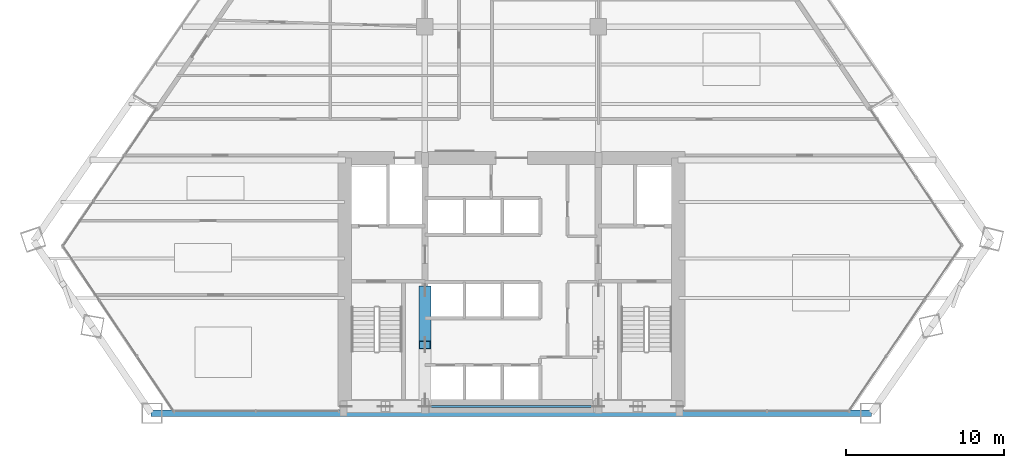
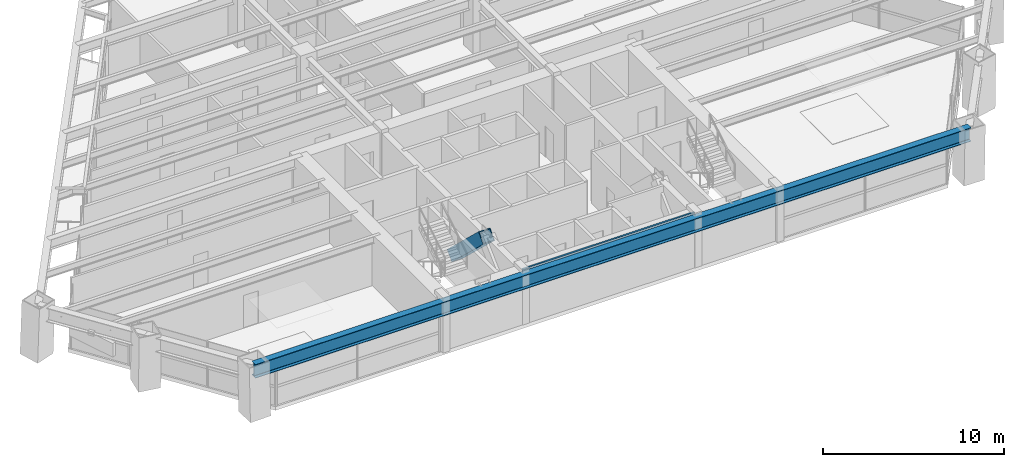
# One storey, part 3 of 14: 2 beams, 1 member.
"""IFC4 building model written with IfcOpenShell, lengths in metres."""

import ifcopenshell
import ifcopenshell.guid

model = None  # the IFC model being written
_history = None  # IfcOwnerHistory: only IFC2X3 demands one
_inside = {}  # id of a spatial element -> (the spatial element, [elements in it])
_under = {}  # id of a project, library or spatial element -> (it, [spatial elements below it])
_declared = {}  # id of a project -> (the project, [libraries it declares])
_typed = {}  # id of a type object -> (the type object, [elements of that type])
_made_of = {}  # id of a material, layer set ... -> (it, [elements and type objects made of it])


def new_model(schema):
    """Start an empty IFC model of exactly this schema.

    Asked for "IFC4X3", IfcOpenShell would pick the latest addendum, in which some entities
    have other attributes; the version numbers below select the first issue.
    IFC2X3 requires an IfcOwnerHistory on every rooted entity: one is made here for all.
    """
    global model, _history
    if schema == "IFC4X3":
        model = ifcopenshell.file(schema_version=(4, 3, 0, 0))
    else:
        model = ifcopenshell.file(schema=schema)
    _inside.clear()
    _under.clear()
    _declared.clear()
    _typed.clear()
    _made_of.clear()
    _history = None
    if model.schema == "IFC2X3":
        org = make("IfcOrganization", Name="unknown")
        user = make(
            "IfcPersonAndOrganization",
            ThePerson=make("IfcPerson", FamilyName="unknown"),
            TheOrganization=org,
        )
        app = make(
            "IfcApplication",
            ApplicationDeveloper=org,
            Version="unknown",
            ApplicationFullName="unknown",
            ApplicationIdentifier="unknown",
        )
        _history = make(
            "IfcOwnerHistory",
            OwningUser=user,
            OwningApplication=app,
            ChangeAction="ADDED",
            CreationDate=0,
        )
    return model


def make(cls, **values):
    """One entity of the class cls with the attributes given. An attribute that is None is left unset."""
    return model.create_entity(
        cls, **{name: value for name, value in values.items() if value is not None}
    )


def rooted(cls, **values):
    """An entity with a GlobalId (a new one), such as an element, a storey or a relation."""
    return make(cls, GlobalId=ifcopenshell.guid.new(), OwnerHistory=_history, **values)


def si_unit(unit_type, name, prefix=None):
    """IfcSIUnit, for example si_unit("LENGTHUNIT", "METRE", prefix="MILLI")."""
    return make("IfcSIUnit", UnitType=unit_type, Prefix=prefix, Name=name)


def assignment(units):
    """IfcUnitAssignment: the units of a project."""
    return None if units is None else make("IfcUnitAssignment", Units=units)


def point(xyz):
    """IfcCartesianPoint."""
    return None if xyz is None else make("IfcCartesianPoint", Coordinates=xyz)


def direction(xyz):
    """IfcDirection."""
    return None if xyz is None else make("IfcDirection", DirectionRatios=xyz)


def frame(location, z_axis=None, x_axis=None):
    """IfcAxis2Placement3D, a coordinate frame: its origin and axes. An axis left out is left unset."""
    return make(
        "IfcAxis2Placement3D",
        Location=point(location),
        Axis=direction(z_axis),
        RefDirection=direction(x_axis),
    )


def frame_2d(location, x_axis=None):
    """IfcAxis2Placement2D, a coordinate frame in the plane: its origin and x axis."""
    return make(
        "IfcAxis2Placement2D", Location=point(location), RefDirection=direction(x_axis)
    )


def origin():
    """The frame at (0, 0, 0) with its axes left unset."""
    return frame((0.0, 0.0, 0.0))


def origin_2d():
    """The frame at (0, 0) in the plane with its x axis left unset."""
    return frame_2d((0.0, 0.0))


def place(relative_to, where):
    """IfcLocalPlacement: puts the frame where relative to a parent placement (None: the world)."""
    return make(
        "IfcLocalPlacement", PlacementRelTo=relative_to, RelativePlacement=where
    )


def context(
    kind, dimensions, precision=None, world=None, true_north=None, identifier=None
):
    """IfcGeometricRepresentationContext, for example the 3D "Model" context."""
    return make(
        "IfcGeometricRepresentationContext",
        ContextIdentifier=identifier,
        ContextType=kind,
        CoordinateSpaceDimension=dimensions,
        Precision=precision,
        WorldCoordinateSystem=world,
        TrueNorth=true_north,
    )


def subcontext(parent, identifier, kind, view, scale=None):
    """IfcGeometricRepresentationSubContext, for example "Body" below "Model"."""
    return make(
        "IfcGeometricRepresentationSubContext",
        ContextIdentifier=identifier,
        ContextType=kind,
        ParentContext=parent,
        TargetScale=scale,
        TargetView=view,
    )


def project(units=None, contexts=None):
    """IfcProject with its units and contexts."""
    return rooted(
        "IfcProject",
        Name="project",
        RepresentationContexts=contexts,
        UnitsInContext=assignment(units),
    )


def spatial(cls, under=None, at=None, **own):
    """A site, building, storey or space (cls), placed at a placement, below another one or the project."""
    s = rooted(cls, ObjectPlacement=at, **own)
    if under is not None:
        _under.setdefault(under.id(), (under, []))[1].append(s)
    return s


def profile(cls, at=None, kind="AREA", **sizes):
    """A parametric profile (cls). Its sizes go by their IFC names, for example OverallWidth=200.0."""
    return make(cls, ProfileType=kind, Position=at, **sizes)


def hollow_rectangle(**sizes):
    """IfcRectangleHollowProfileDef."""
    return profile("IfcRectangleHollowProfileDef", **sizes)


def i_section(**sizes):
    """IfcIShapeProfileDef."""
    return profile("IfcIShapeProfileDef", **sizes)


def extrude(swept, where, along, depth):
    """IfcExtrudedAreaSolid: the profile swept, set in the frame where, extruded along a direction by depth."""
    return make(
        "IfcExtrudedAreaSolid",
        SweptArea=swept,
        Position=where,
        ExtrudedDirection=direction(along),
        Depth=depth,
    )


def shape(context_of_items, identifier, shape_type, items):
    """IfcShapeRepresentation: the items that make up one representation, for example the "Body"."""
    return make(
        "IfcShapeRepresentation",
        ContextOfItems=context_of_items,
        RepresentationIdentifier=identifier,
        RepresentationType=shape_type,
        Items=items,
    )


def source(mapping_origin, context_of_items, identifier, shape_type, items):
    """IfcRepresentationMap: a shape defined once, which mapped items show again and again."""
    return make(
        "IfcRepresentationMap",
        MappingOrigin=mapping_origin,
        MappedRepresentation=shape(context_of_items, identifier, shape_type, items),
    )


def transform(
    local_origin,
    x_axis=None,
    y_axis=None,
    z_axis=None,
    scale=None,
    scale2=None,
    scale3=None,
    uniform=True,
):
    """IfcCartesianTransformationOperator3D, or its non-uniform kind. x_axis, y_axis, z_axis: its Axis1, 2, 3."""
    if uniform:
        return make(
            "IfcCartesianTransformationOperator3D",
            Axis1=direction(x_axis),
            Axis2=direction(y_axis),
            LocalOrigin=point(local_origin),
            Scale=scale,
            Axis3=direction(z_axis),
        )
    return make(
        "IfcCartesianTransformationOperator3DnonUniform",
        Axis1=direction(x_axis),
        Axis2=direction(y_axis),
        LocalOrigin=point(local_origin),
        Scale=scale,
        Axis3=direction(z_axis),
        Scale2=scale2,
        Scale3=scale3,
    )


def mapped(mapping_source, mapping_target):
    """IfcMappedItem: shows the shape of a source again, moved by a transform."""
    return make(
        "IfcMappedItem", MappingSource=mapping_source, MappingTarget=mapping_target
    )


def material(Name=None, Category=None):
    """IfcMaterial."""
    return make("IfcMaterial", Name=Name, Category=Category)


def material_profile(
    of_material, cross_section, Name=None, Category=None, Priority=None
):
    """IfcMaterialProfile: a cross section and its material."""
    return make(
        "IfcMaterialProfile",
        Name=Name,
        Material=of_material,
        Profile=cross_section,
        Priority=Priority,
        Category=Category,
    )


def profile_set(profiles, Name=None, composite=None):
    """IfcMaterialProfileSet."""
    return make(
        "IfcMaterialProfileSet",
        Name=Name,
        MaterialProfiles=profiles,
        CompositeProfile=composite,
    )


def made_of(thing, what):
    """Note that an element or type object is made of a material, layer set ...; save() writes the relation."""
    if what is not None:
        _made_of.setdefault(what.id(), (what, []))[1].append(thing)
    return thing


def type_object(cls, material=None, **own):
    """A type object (cls), such as IfcWallType, which elements share."""
    return made_of(rooted(cls, **own), material)


def type_shapes(of_type, sources):
    """Give a type object the sources (RepresentationMaps) that its elements show as mapped items."""
    of_type.RepresentationMaps = sources


def element(
    cls,
    number,
    at=None,
    inside=None,
    cuts=None,
    type_object=None,
    material=None,
    context=None,
    identifier="Body",
    shape_type=None,
    held_by="IfcProductDefinitionShape",
    body=None,
    shapes=None,
    **own,
):
    """One element of the class cls, such as IfcWall. Its Tag is "e" and its number.

    at: its placement. inside: the storey or other place that contains it. cuts: it is an
    opening in that element (IfcRelVoidsElement). A single representation is given by context,
    identifier, shape_type and body (its items); several are given by shapes. held_by: the class
    of the entity that holds the representations. save() writes the other relations.
    """
    e = rooted(cls, Tag="e%d" % number, ObjectPlacement=at, **own)
    if body is not None:
        shapes = [shape(context, identifier, shape_type, body)]
    if shapes is not None:
        e.Representation = make(held_by, Representations=shapes)
    if inside is not None:
        _inside.setdefault(inside.id(), (inside, []))[1].append(e)
    if cuts is not None:
        rooted(
            "IfcRelVoidsElement", RelatingBuildingElement=cuts, RelatedOpeningElement=e
        )
    if type_object is not None:
        _typed.setdefault(type_object.id(), (type_object, []))[1].append(e)
    return made_of(e, material)


def aggregate(whole, parts):
    """IfcRelAggregates: a whole, such as a stair, and the parts it consists of."""
    return rooted("IfcRelAggregates", RelatingObject=whole, RelatedObjects=parts)


def save(model, path):
    """Write the relations noted so far, then the file.

    IfcRelAggregates (storeys below a building ...), IfcRelContainedInSpatialStructure (elements
    in a storey), IfcRelDefinesByType, IfcRelAssociatesMaterial and IfcRelDeclares: one each for
    every whole, place, type object, material and project.
    """
    for whole, parts in _under.values():
        aggregate(whole, parts)
    for where, things in _inside.values():
        rooted(
            "IfcRelContainedInSpatialStructure",
            RelatedElements=things,
            RelatingStructure=where,
        )
    for kind, things in _typed.values():
        rooted("IfcRelDefinesByType", RelatedObjects=things, RelatingType=kind)
    for what, things in _made_of.values():
        rooted("IfcRelAssociatesMaterial", RelatedObjects=things, RelatingMaterial=what)
    for by, libraries in _declared.values():
        rooted("IfcRelDeclares", RelatingContext=by, RelatedDefinitions=libraries)
    model.write(path)


model = new_model("IFC4")

# Units and contexts
model_context = context("Model", 3, precision=1e-05, world=origin(), true_north=direction((0.0, 1.0)))
body_context = subcontext(model_context, "Body", "Model", "MODEL_VIEW")
ifc_project = project(units=[si_unit("LENGTHUNIT", "METRE"), si_unit("AREAUNIT", "SQUARE_METRE"), si_unit("VOLUMEUNIT", "CUBIC_METRE"), si_unit("PLANEANGLEUNIT", "RADIAN"), si_unit("MASSUNIT", "GRAM", prefix="KILO")], contexts=[model_context])

# Site, building, storey
site_placement = place(None, origin())
site = spatial("IfcSite", under=ifc_project, at=site_placement, CompositionType="ELEMENT")
building_placement = place(site_placement, origin())
building = spatial("IfcBuilding", under=site, at=building_placement, Name="Varnakhor Terracotta Tower", CompositionType="ELEMENT")
storey_placement = place(building_placement, frame((0.0, 0.0, 46.0)))
storey = spatial("IfcBuildingStorey", under=building, at=storey_placement, Name="L10", CompositionType="ELEMENT", Elevation=46.0)

# Beam
ifc_material_1 = material(Name="Steel S355", Category="steel")
ifc_material_profile_1 = material_profile(ifc_material_1, i_section(OverallWidth=0.1201171875, OverallDepth=0.239990234375, WebThickness=0.006103515625, FlangeThickness=0.009765625, FilletRadius=0.01806640625, at=origin_2d()), Name="IPE240")
ifc_profile_set_1 = profile_set([ifc_material_profile_1], Name="Steel S355")
beam_type_1 = type_object("IfcBeamType", Name="LNT-IPE240", PredefinedType="LINTEL", material=ifc_profile_set_1)
shared_shape_1 = source(origin(), body_context, "Body", "SweptSolid", [
    extrude(i_section(OverallWidth=0.1201171875, OverallDepth=0.239990234375, WebThickness=0.006103515625, FlangeThickness=0.009765625, FilletRadius=0.01806640625, at=origin_2d()), origin(), (0.0, 0.0, 1.0), 11.0),
])
type_shapes(beam_type_1, [shared_shape_1])
beam_1_placement = place(storey_placement, frame((-5.5, 0.419921875, 3.330078125), z_axis=(1.0, 0.0, 0.0), x_axis=(0.0, 1.0, 0.0)))
element("IfcBeam", 1, at=beam_1_placement, inside=storey, type_object=beam_type_1, Name="L10 Core South Coupling Lintel", PredefinedType="LINTEL", context=body_context, shape_type="MappedRepresentation", body=[
    mapped(shared_shape_1, transform((0.0, 0.0, 0.0), scale=1.0)),
])

# Member
ifc_material_2 = material(Name="Steel S460", Category="steel")
ifc_material_profile_2 = material_profile(ifc_material_2, hollow_rectangle(XDim=0.75, YDim=0.75, WallThickness=0.044921875, at=origin_2d()), Name="HSS750X750X45")
ifc_profile_set_2 = profile_set([ifc_material_profile_2], Name="Steel S460")
member_type = type_object("IfcMemberType", Name="MBR-MEGA-750", PredefinedType="BRACE", material=ifc_profile_set_2)
shared_shape_2 = source(origin(), body_context, "Body", "SweptSolid", [
    extrude(hollow_rectangle(XDim=0.75, YDim=0.75, WallThickness=0.044921875, at=origin_2d()), origin(), (0.0, 0.0, 1.0), 4.792236328125),
])
member_placement = place(storey_placement, frame((-5.5, 7.800048828125, 0.0), z_axis=(0.0, -0.72513424341, 0.688607529028), x_axis=(1.0, 0.0, 0.0)))
element("IfcMember", 2, at=member_placement, inside=storey, type_object=member_type, Name="L10 Core Coupled Brace CWWB", PredefinedType="BRACE", context=body_context, shape_type="MappedRepresentation", body=[
    mapped(shared_shape_2, transform((0.0, 0.0, 0.0), scale=1.0)),
])

# Beam
ifc_material_profile_3 = material_profile(ifc_material_1, i_section(OverallWidth=0.41796875, OverallDepth=0.927001953125, WebThickness=0.01904296875, FlangeThickness=0.031982421875, FilletRadius=0.01806640625, at=origin_2d()), Name="W36X231")
ifc_profile_set_3 = profile_set([ifc_material_profile_3], Name="Steel S355")
beam_type_2 = type_object("IfcBeamType", Name="BM-W36X231", PredefinedType="BEAM", material=ifc_profile_set_3)
shared_shape_3 = source(origin(), body_context, "Body", "SweptSolid", [
    extrude(i_section(OverallWidth=0.41796875, OverallDepth=0.927001953125, WebThickness=0.01904296875, FlangeThickness=0.031982421875, FilletRadius=0.01806640625, at=origin_2d()), origin(), (0.0, 0.0, 1.0), 45.67529296875),
])
beam_2_placement = place(storey_placement, frame((-22.86669921875, 0.0, 2.986572265625), z_axis=(1.0, 0.0, 0.0), x_axis=(0.0, 1.0, 0.0)))
element("IfcBeam", 3, at=beam_2_placement, inside=storey, type_object=beam_type_2, Name="L10 Perimeter Spandrel 1", PredefinedType="BEAM", context=body_context, shape_type="MappedRepresentation", body=[
    mapped(shared_shape_3, transform((0.0, 0.0, 0.0), scale=1.0)),
])

save(model, "model.ifc")
